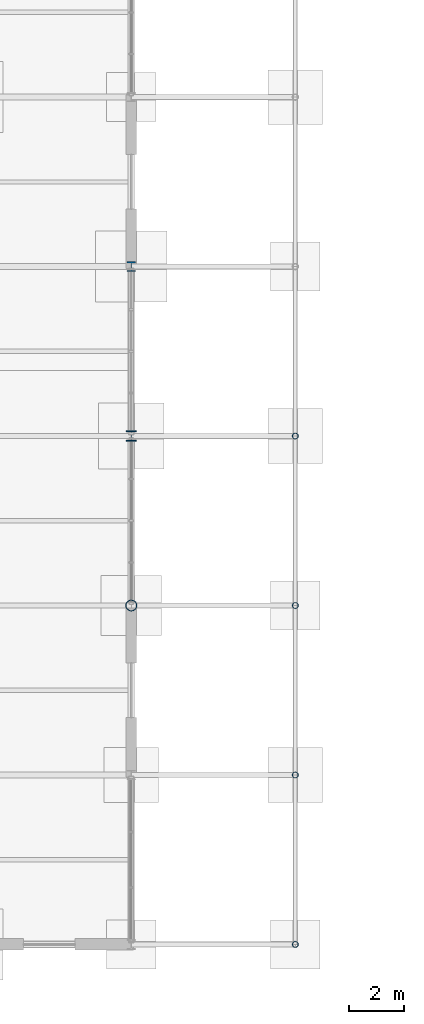
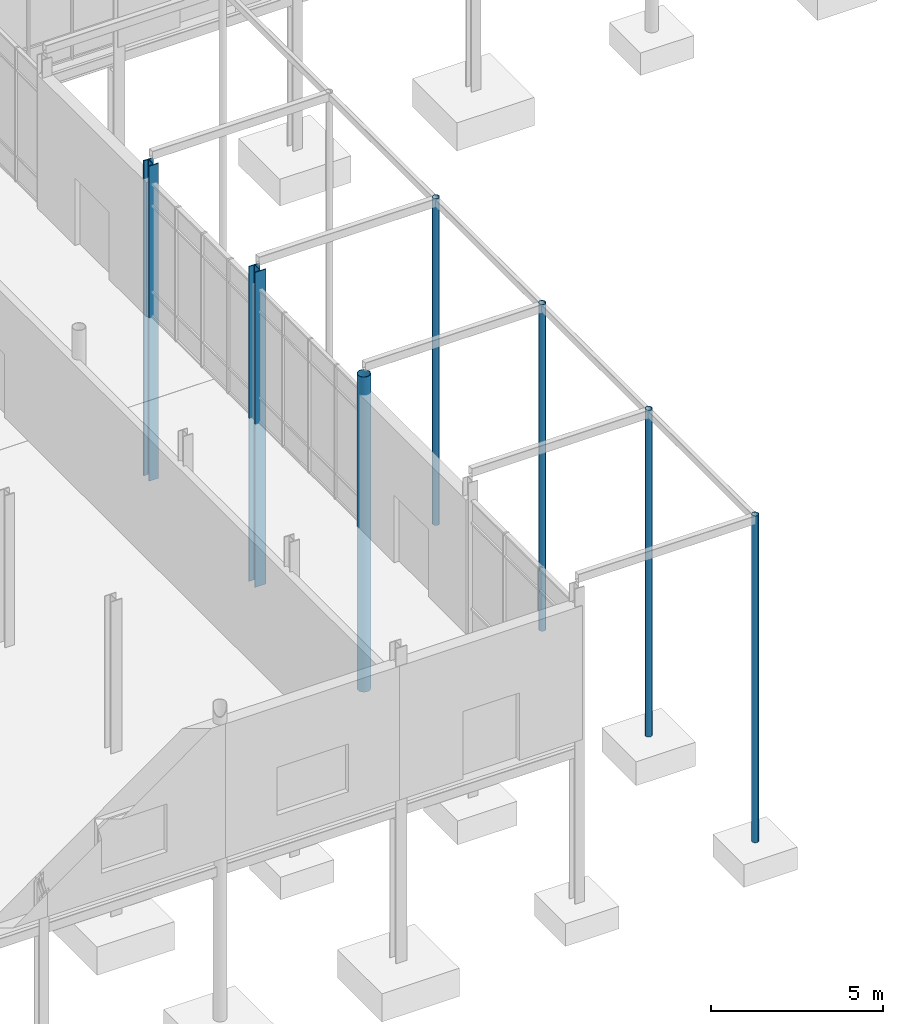
# One storey, part 3 of 98: 7 columns.
"""IFC4 building model written with IfcOpenShell, lengths in metres."""

import ifcopenshell
import ifcopenshell.guid

model = None  # the IFC model being written
_history = None  # IfcOwnerHistory: only IFC2X3 demands one
_inside = {}  # id of a spatial element -> (the spatial element, [elements in it])
_under = {}  # id of a project, library or spatial element -> (it, [spatial elements below it])
_declared = {}  # id of a project -> (the project, [libraries it declares])
_typed = {}  # id of a type object -> (the type object, [elements of that type])
_made_of = {}  # id of a material, layer set ... -> (it, [elements and type objects made of it])


def new_model(schema):
    """Start an empty IFC model of exactly this schema.

    Asked for "IFC4X3", IfcOpenShell would pick the latest addendum, in which some entities
    have other attributes; the version numbers below select the first issue.
    IFC2X3 requires an IfcOwnerHistory on every rooted entity: one is made here for all.
    """
    global model, _history
    if schema == "IFC4X3":
        model = ifcopenshell.file(schema_version=(4, 3, 0, 0))
    else:
        model = ifcopenshell.file(schema=schema)
    _inside.clear()
    _under.clear()
    _declared.clear()
    _typed.clear()
    _made_of.clear()
    _history = None
    if model.schema == "IFC2X3":
        org = make("IfcOrganization", Name="unknown")
        user = make(
            "IfcPersonAndOrganization",
            ThePerson=make("IfcPerson", FamilyName="unknown"),
            TheOrganization=org,
        )
        app = make(
            "IfcApplication",
            ApplicationDeveloper=org,
            Version="unknown",
            ApplicationFullName="unknown",
            ApplicationIdentifier="unknown",
        )
        _history = make(
            "IfcOwnerHistory",
            OwningUser=user,
            OwningApplication=app,
            ChangeAction="ADDED",
            CreationDate=0,
        )
    return model


def make(cls, **values):
    """One entity of the class cls with the attributes given. An attribute that is None is left unset."""
    return model.create_entity(
        cls, **{name: value for name, value in values.items() if value is not None}
    )


def rooted(cls, **values):
    """An entity with a GlobalId (a new one), such as an element, a storey or a relation."""
    return make(cls, GlobalId=ifcopenshell.guid.new(), OwnerHistory=_history, **values)


def si_unit(unit_type, name, prefix=None):
    """IfcSIUnit, for example si_unit("LENGTHUNIT", "METRE", prefix="MILLI")."""
    return make("IfcSIUnit", UnitType=unit_type, Prefix=prefix, Name=name)


def assignment(units):
    """IfcUnitAssignment: the units of a project."""
    return None if units is None else make("IfcUnitAssignment", Units=units)


def point(xyz):
    """IfcCartesianPoint."""
    return None if xyz is None else make("IfcCartesianPoint", Coordinates=xyz)


def direction(xyz):
    """IfcDirection."""
    return None if xyz is None else make("IfcDirection", DirectionRatios=xyz)


def frame(location, z_axis=None, x_axis=None):
    """IfcAxis2Placement3D, a coordinate frame: its origin and axes. An axis left out is left unset."""
    return make(
        "IfcAxis2Placement3D",
        Location=point(location),
        Axis=direction(z_axis),
        RefDirection=direction(x_axis),
    )


def frame_2d(location, x_axis=None):
    """IfcAxis2Placement2D, a coordinate frame in the plane: its origin and x axis."""
    return make(
        "IfcAxis2Placement2D", Location=point(location), RefDirection=direction(x_axis)
    )


def origin():
    """The frame at (0, 0, 0) with its axes left unset."""
    return frame((0.0, 0.0, 0.0))


def origin_2d():
    """The frame at (0, 0) in the plane with its x axis left unset."""
    return frame_2d((0.0, 0.0))


def place(relative_to, where):
    """IfcLocalPlacement: puts the frame where relative to a parent placement (None: the world)."""
    return make(
        "IfcLocalPlacement", PlacementRelTo=relative_to, RelativePlacement=where
    )


def context(
    kind, dimensions, precision=None, world=None, true_north=None, identifier=None
):
    """IfcGeometricRepresentationContext, for example the 3D "Model" context."""
    return make(
        "IfcGeometricRepresentationContext",
        ContextIdentifier=identifier,
        ContextType=kind,
        CoordinateSpaceDimension=dimensions,
        Precision=precision,
        WorldCoordinateSystem=world,
        TrueNorth=true_north,
    )


def subcontext(parent, identifier, kind, view, scale=None):
    """IfcGeometricRepresentationSubContext, for example "Body" below "Model"."""
    return make(
        "IfcGeometricRepresentationSubContext",
        ContextIdentifier=identifier,
        ContextType=kind,
        ParentContext=parent,
        TargetScale=scale,
        TargetView=view,
    )


def project(units=None, contexts=None):
    """IfcProject with its units and contexts."""
    return rooted(
        "IfcProject",
        Name="project",
        RepresentationContexts=contexts,
        UnitsInContext=assignment(units),
    )


def spatial(cls, under=None, at=None, **own):
    """A site, building, storey or space (cls), placed at a placement, below another one or the project."""
    s = rooted(cls, ObjectPlacement=at, **own)
    if under is not None:
        _under.setdefault(under.id(), (under, []))[1].append(s)
    return s


def profile(cls, at=None, kind="AREA", **sizes):
    """A parametric profile (cls). Its sizes go by their IFC names, for example OverallWidth=200.0."""
    return make(cls, ProfileType=kind, Position=at, **sizes)


def hollow_circle(**sizes):
    """IfcCircleHollowProfileDef."""
    return profile("IfcCircleHollowProfileDef", **sizes)


def i_section(**sizes):
    """IfcIShapeProfileDef."""
    return profile("IfcIShapeProfileDef", **sizes)


def extrude(swept, where, along, depth):
    """IfcExtrudedAreaSolid: the profile swept, set in the frame where, extruded along a direction by depth."""
    return make(
        "IfcExtrudedAreaSolid",
        SweptArea=swept,
        Position=where,
        ExtrudedDirection=direction(along),
        Depth=depth,
    )


def shape(context_of_items, identifier, shape_type, items):
    """IfcShapeRepresentation: the items that make up one representation, for example the "Body"."""
    return make(
        "IfcShapeRepresentation",
        ContextOfItems=context_of_items,
        RepresentationIdentifier=identifier,
        RepresentationType=shape_type,
        Items=items,
    )


def material(Name=None, Category=None):
    """IfcMaterial."""
    return make("IfcMaterial", Name=Name, Category=Category)


def material_profile(
    of_material, cross_section, Name=None, Category=None, Priority=None
):
    """IfcMaterialProfile: a cross section and its material."""
    return make(
        "IfcMaterialProfile",
        Name=Name,
        Material=of_material,
        Profile=cross_section,
        Priority=Priority,
        Category=Category,
    )


def profile_set(profiles, Name=None, composite=None):
    """IfcMaterialProfileSet."""
    return make(
        "IfcMaterialProfileSet",
        Name=Name,
        MaterialProfiles=profiles,
        CompositeProfile=composite,
    )


def made_of(thing, what):
    """Note that an element or type object is made of a material, layer set ...; save() writes the relation."""
    if what is not None:
        _made_of.setdefault(what.id(), (what, []))[1].append(thing)
    return thing


def type_object(cls, material=None, **own):
    """A type object (cls), such as IfcWallType, which elements share."""
    return made_of(rooted(cls, **own), material)


def element(
    cls,
    number,
    at=None,
    inside=None,
    cuts=None,
    type_object=None,
    material=None,
    context=None,
    identifier="Body",
    shape_type=None,
    held_by="IfcProductDefinitionShape",
    body=None,
    shapes=None,
    **own,
):
    """One element of the class cls, such as IfcWall. Its Tag is "e" and its number.

    at: its placement. inside: the storey or other place that contains it. cuts: it is an
    opening in that element (IfcRelVoidsElement). A single representation is given by context,
    identifier, shape_type and body (its items); several are given by shapes. held_by: the class
    of the entity that holds the representations. save() writes the other relations.
    """
    e = rooted(cls, Tag="e%d" % number, ObjectPlacement=at, **own)
    if body is not None:
        shapes = [shape(context, identifier, shape_type, body)]
    if shapes is not None:
        e.Representation = make(held_by, Representations=shapes)
    if inside is not None:
        _inside.setdefault(inside.id(), (inside, []))[1].append(e)
    if cuts is not None:
        rooted(
            "IfcRelVoidsElement", RelatingBuildingElement=cuts, RelatedOpeningElement=e
        )
    if type_object is not None:
        _typed.setdefault(type_object.id(), (type_object, []))[1].append(e)
    return made_of(e, material)


def aggregate(whole, parts):
    """IfcRelAggregates: a whole, such as a stair, and the parts it consists of."""
    return rooted("IfcRelAggregates", RelatingObject=whole, RelatedObjects=parts)


def save(model, path):
    """Write the relations noted so far, then the file.

    IfcRelAggregates (storeys below a building ...), IfcRelContainedInSpatialStructure (elements
    in a storey), IfcRelDefinesByType, IfcRelAssociatesMaterial and IfcRelDeclares: one each for
    every whole, place, type object, material and project.
    """
    for whole, parts in _under.values():
        aggregate(whole, parts)
    for where, things in _inside.values():
        rooted(
            "IfcRelContainedInSpatialStructure",
            RelatedElements=things,
            RelatingStructure=where,
        )
    for kind, things in _typed.values():
        rooted("IfcRelDefinesByType", RelatedObjects=things, RelatingType=kind)
    for what, things in _made_of.values():
        rooted("IfcRelAssociatesMaterial", RelatedObjects=things, RelatingMaterial=what)
    for by, libraries in _declared.values():
        rooted("IfcRelDeclares", RelatingContext=by, RelatedDefinitions=libraries)
    model.write(path)


model = new_model("IFC4")

# Units and contexts
model_context = context("Model", 3, precision=1e-05, world=origin(), true_north=direction((0.0, 1.0)))
body_context = subcontext(model_context, "Body", "Model", "MODEL_VIEW")
ifc_project = project(units=[si_unit("LENGTHUNIT", "METRE"), si_unit("AREAUNIT", "SQUARE_METRE"), si_unit("VOLUMEUNIT", "CUBIC_METRE"), si_unit("PLANEANGLEUNIT", "RADIAN"), si_unit("MASSUNIT", "GRAM", prefix="KILO")], contexts=[model_context])

# Site, building, storey
site_placement = place(None, origin())
site = spatial("IfcSite", under=ifc_project, at=site_placement, CompositionType="ELEMENT")
building_placement = place(site_placement, origin())
building = spatial("IfcBuilding", under=site, at=building_placement, Name="Mirzam Square Science Centre", CompositionType="ELEMENT")
storey_placement = place(building_placement, origin())
storey = spatial("IfcBuildingStorey", under=building, at=storey_placement, Name="L00", CompositionType="ELEMENT", Elevation=0.0)

# Columns
ifc_material = material(Name="Steel S355", Category="steel")
ifc_material_profile_1 = material_profile(ifc_material, hollow_circle(Radius=0.109619140625, WallThickness=0.010009765625, at=origin_2d()), Name="219.1x10.0CHS")
ifc_profile_set_1 = profile_set([ifc_material_profile_1], Name="Steel S355")
column_type_1 = type_object("IfcColumnType", Name="COL-CHS219", PredefinedType="COLUMN", material=ifc_profile_set_1)
for number, where, z_axis, x_axis, name in (
    (1, (36.0, 0.0, -5.800048828125), (0.0, 0.0, 1.0), (1.0, 0.0, 0.0), "L00 column G07-01"),
    (2, (36.0, 6.199951171875, -5.800048828125), (0.0, 0.0, 1.0), (1.0, 0.0, 0.0), "L00 column G07-02"),
    (3, (36.0, 12.39990234375, -5.800048828125), (0.0, 0.0, 1.0), (1.0, 0.0, 0.0), "L00 column G07-03"),
    (4, (36.0, 18.60009765625, -5.800048828125), (0.0, 0.0, 1.0), (1.0, 0.0, 0.0), "L00 column G07-04"),
):
    element("IfcColumn", number, at=place(storey_placement, frame(where, z_axis=z_axis, x_axis=x_axis)), inside=storey, type_object=column_type_1, Name=name, PredefinedType="COLUMN", context=body_context, shape_type="SweptSolid", body=[
        extrude(hollow_circle(Radius=0.109619140625, WallThickness=0.010009765625, at=origin_2d()), origin(), (0.0, 0.0, 1.0), 11.6201171875),
    ])
ifc_material_profile_2 = material_profile(ifc_material, hollow_circle(Radius=0.203125, WallThickness=0.01611328125, at=origin_2d()), Name="406.4x16.0CHS")
ifc_profile_set_2 = profile_set([ifc_material_profile_2], Name="Steel S355")
column_type_2 = type_object("IfcColumnType", Name="COL-CHS406", PredefinedType="COLUMN", material=ifc_profile_set_2)
column_1_placement = place(storey_placement, frame((30.0, 12.39990234375, -5.800048828125), z_axis=(0.0, 0.0, 1.0), x_axis=(1.0, 0.0, 0.0)))
element("IfcColumn", 5, at=column_1_placement, inside=storey, type_object=column_type_2, Name="L00 column G06-03", PredefinedType="COLUMN", context=body_context, shape_type="SweptSolid", body=[
    extrude(hollow_circle(Radius=0.203125, WallThickness=0.01611328125, at=origin_2d()), origin(), (0.0, 0.0, 1.0), 11.199951171875),
])
ifc_material_profile_3 = material_profile(ifc_material, i_section(OverallWidth=0.318359375, OverallDepth=0.3525390625, WebThickness=0.02294921875, FlangeThickness=0.03759765625, FilletRadius=0.01513671875, at=origin_2d()), Name="305x305x240UC")
ifc_profile_set_3 = profile_set([ifc_material_profile_3], Name="Steel S355")
column_type_3 = type_object("IfcColumnType", Name="COL-UC305C", PredefinedType="COLUMN", material=ifc_profile_set_3)
column_2_placement = place(storey_placement, frame((30.0, 24.800048828125, -5.800048828125), z_axis=(0.0, 0.0, 1.0), x_axis=(1.0, 0.0, 0.0)))
element("IfcColumn", 6, at=column_2_placement, inside=storey, type_object=column_type_3, Name="L00 column G06-05", PredefinedType="COLUMN", context=body_context, shape_type="SweptSolid", body=[
    extrude(i_section(OverallWidth=0.318359375, OverallDepth=0.3525390625, WebThickness=0.02294921875, FlangeThickness=0.03759765625, FilletRadius=0.01513671875, at=origin_2d()), origin(), (0.0, 0.0, 1.0), 11.199951171875),
])
ifc_material_profile_4 = material_profile(ifc_material, i_section(OverallWidth=0.374755859375, OverallDepth=0.37451171875, WebThickness=0.0166015625, FlangeThickness=0.027099609375, FilletRadius=0.01513671875, at=origin_2d()), Name="356x368x202UC")
ifc_profile_set_4 = profile_set([ifc_material_profile_4], Name="Steel S355")
column_type_4 = type_object("IfcColumnType", Name="COL-UC356A", PredefinedType="COLUMN", material=ifc_profile_set_4)
column_3_placement = place(storey_placement, frame((30.0, 18.60009765625, -5.800048828125), z_axis=(0.0, 0.0, 1.0), x_axis=(1.0, 0.0, 0.0)))
element("IfcColumn", 7, at=column_3_placement, inside=storey, type_object=column_type_4, Name="L00 column G06-04", PredefinedType="COLUMN", context=body_context, shape_type="SweptSolid", body=[
    extrude(i_section(OverallWidth=0.374755859375, OverallDepth=0.37451171875, WebThickness=0.0166015625, FlangeThickness=0.027099609375, FilletRadius=0.01513671875, at=origin_2d()), origin(), (0.0, 0.0, 1.0), 11.199951171875),
])

save(model, "model.ifc")
